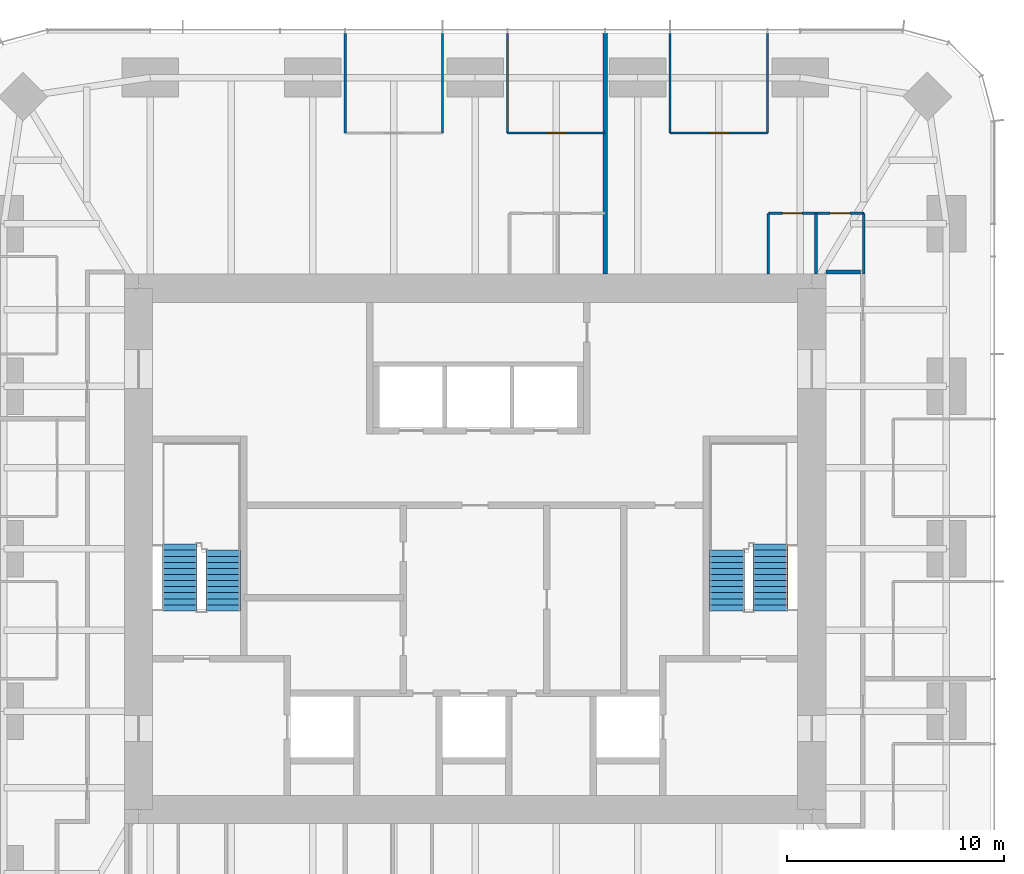
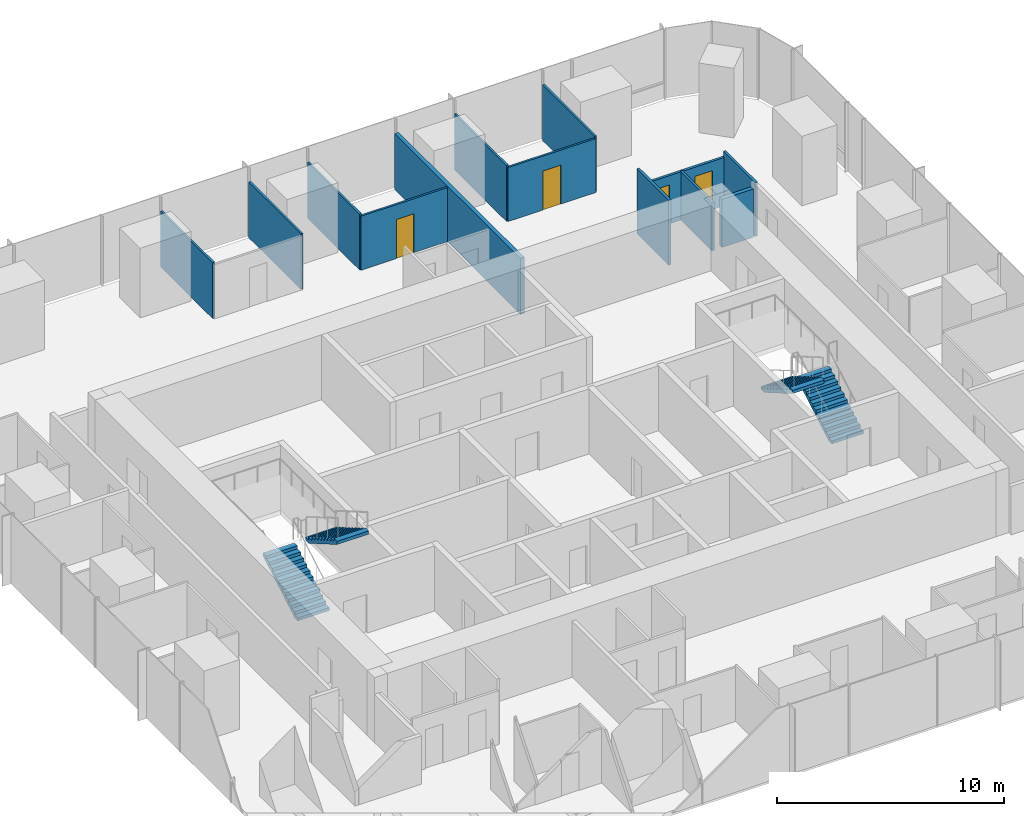
# One storey, part 11 of 12: 13 walls, 4 doors, 4 stair flights, 4 openings, 2 elements without a shape of their own.
"""IFC4 building model written with IfcOpenShell, lengths in metres."""

from ifc_helpers import new_model, si_unit, direction, frame, frame_2d, origin, place, context, subcontext, project, spatial, polyline, rectangle, outline, extrude, material, layer, layer_set, type_object, element, fill, aggregate, save


model = new_model("IFC4")

# Units and contexts
model_context = context("Model", 3, precision=1e-05, world=origin(), true_north=direction((0.0, 1.0)))
body_context = subcontext(model_context, "Body", "Model", "MODEL_VIEW")
ifc_project = project(units=[si_unit("LENGTHUNIT", "METRE"), si_unit("AREAUNIT", "SQUARE_METRE"), si_unit("VOLUMEUNIT", "CUBIC_METRE"), si_unit("PLANEANGLEUNIT", "RADIAN"), si_unit("MASSUNIT", "GRAM", prefix="KILO")], contexts=[model_context])

# Site, building, storey
site_placement = place(None, origin())
site = spatial("IfcSite", under=ifc_project, at=site_placement, CompositionType="ELEMENT")
building_placement = place(site_placement, origin())
building = spatial("IfcBuilding", under=site, at=building_placement, Name="Khuree Lantern Residences", CompositionType="ELEMENT")
storey_placement = place(building_placement, frame((0.0, 0.0, 293.25)))
storey = spatial("IfcBuildingStorey", under=building, at=storey_placement, Name="L73", CompositionType="ELEMENT", Elevation=293.25)

# Wall, openings, doors
ifc_material_1 = material(Name="Moisture-resistant gypsum board on steel studs", Category="steel")
ifc_layer_1 = layer(ifc_material_1, 0.125)
ifc_layer_set_1 = layer_set([ifc_layer_1], Name="BATHROOM WALL BTW125")
wall_type_1 = type_object("IfcWallType", Name="BATHROOM WALL BTW125", PredefinedType="PARTITIONING", material=ifc_layer_set_1)
wall_1_placement = place(storey_placement, frame((17.89990234375, 15.449951171875, 0.0), z_axis=(0.0, 0.0, 1.0), x_axis=(-1.0, 0.0, 0.0)))
wall_1 = element("IfcWall", 1, at=wall_1_placement, inside=storey, type_object=wall_type_1, Name="L73 BATHROOM WALL 01", PredefinedType="PARTITIONING", context=body_context, shape_type="SweptSolid", body=[
    extrude(rectangle(XDim=4.39990234375, YDim=0.125, at=frame_2d((2.199951171875, 0.0))), origin(), (0.0, 0.0, 1.0), 2.60009765625),
])
opening_1_placement = place(wall_1_placement, frame((0.64990234375, 0.0, 0.0)))
opening_1 = element("IfcOpeningElement", 2, at=opening_1_placement, cuts=wall_1, Name="Opening 73-024", PredefinedType="OPENING", context=body_context, shape_type="SweptSolid", body=[
    extrude(rectangle(XDim=0.89990234375, YDim=2.10009765625, at=frame_2d((0.449951171875, 1.050048828125))), frame((0.0, 0.072509765625, 0.0), z_axis=(0.0, -1.0, 0.0), x_axis=(1.0, 0.0, 0.0)), (0.0, 0.0, 1.0), 0.14501953125),
])
opening_2_placement = place(wall_1_placement, frame((2.85009765625, 0.0, 0.0)))
opening_2 = element("IfcOpeningElement", 3, at=opening_2_placement, cuts=wall_1, Name="Opening 73-025", PredefinedType="OPENING", context=body_context, shape_type="SweptSolid", body=[
    extrude(rectangle(XDim=0.89990234375, YDim=2.10009765625, at=frame_2d((0.449951171875, 1.050048828125))), frame((0.0, 0.072509765625, 0.0), z_axis=(0.0, -1.0, 0.0), x_axis=(1.0, 0.0, 0.0)), (0.0, 0.0, 1.0), 0.14501953125),
])
ifc_material_2 = material(Name="Timber door leaf in hardwood frame", Category="wood")
door_type_1 = type_object("IfcDoorType", Name="BATHROOM DOOR 900X2100", OperationType="SINGLE_SWING_LEFT", PredefinedType="DOOR", material=ifc_material_2)
door_1_placement = place(opening_1_placement, origin())
door_1 = element("IfcDoor", 4, at=door_1_placement, inside=storey, type_object=door_type_1, Name="Bathroom door 73-024", OperationType="SINGLE_SWING_LEFT", OverallHeight=2.10009765625, OverallWidth=0.89990234375, PredefinedType="DOOR", context=body_context, shape_type="SweptSolid", body=[
    extrude(rectangle(XDim=0.89990234375, YDim=2.10009765625, at=frame_2d((0.449951171875, 1.050048828125))), frame((0.0, 0.02490234375, 0.0), z_axis=(0.0, -1.0, 0.0), x_axis=(1.0, 0.0, 0.0)), (0.0, 0.0, 1.0), 0.050048828125),
])
fill(opening_1, door_1)
door_2_placement = place(opening_2_placement, origin())
door_2 = element("IfcDoor", 5, at=door_2_placement, inside=storey, type_object=door_type_1, Name="Bathroom door 73-025", OperationType="SINGLE_SWING_LEFT", OverallHeight=2.10009765625, OverallWidth=0.89990234375, PredefinedType="DOOR", context=body_context, shape_type="SweptSolid", body=[
    extrude(rectangle(XDim=0.89990234375, YDim=2.10009765625, at=frame_2d((0.449951171875, 1.050048828125))), frame((0.0, 0.02490234375, 0.0), z_axis=(0.0, -1.0, 0.0), x_axis=(1.0, 0.0, 0.0)), (0.0, 0.0, 1.0), 0.050048828125),
])
fill(opening_2, door_2)

# Walls
wall_2_placement = place(storey_placement, frame((17.89990234375, 12.64990234375, 0.0), z_axis=(0.0, 0.0, 1.0), x_axis=(0.0, 1.0, 0.0)))
element("IfcWall", 6, at=wall_2_placement, inside=storey, type_object=wall_type_1, Name="L73 BATHROOM WALL 01", PredefinedType="PARTITIONING", context=body_context, shape_type="SweptSolid", body=[
    extrude(rectangle(XDim=2.800048828125, YDim=0.125, at=frame_2d((1.39990234375, 0.0))), origin(), (0.0, 0.0, 1.0), 2.89990234375),
])
wall_3_placement = place(storey_placement, frame((15.699951171875, 12.64990234375, 0.0), z_axis=(0.0, 0.0, 1.0), x_axis=(0.0, 1.0, 0.0)))
element("IfcWall", 7, at=wall_3_placement, inside=storey, type_object=wall_type_1, Name="L73 BATHROOM WALL 01", PredefinedType="PARTITIONING", context=body_context, shape_type="SweptSolid", body=[
    extrude(rectangle(XDim=2.800048828125, YDim=0.125, at=frame_2d((1.39990234375, 0.0))), origin(), (0.0, 0.0, 1.0), 2.60009765625),
])
wall_4_placement = place(storey_placement, frame((13.5, 12.64990234375, 0.0), z_axis=(0.0, 0.0, 1.0), x_axis=(0.0, 1.0, 0.0)))
element("IfcWall", 8, at=wall_4_placement, inside=storey, type_object=wall_type_1, Name="L73 BATHROOM WALL 01", PredefinedType="PARTITIONING", context=body_context, shape_type="SweptSolid", body=[
    extrude(rectangle(XDim=2.800048828125, YDim=0.125, at=frame_2d((1.39990234375, 0.0))), origin(), (0.0, 0.0, 1.0), 3.5),
])
ifc_material_3 = material(Name="Gypsum board on steel studs", Category="steel")
ifc_layer_2 = layer(ifc_material_3, 0.199951171875)
ifc_layer_set_2 = layer_set([ifc_layer_2], Name="CORRIDOR WALL CRW200 EI 60")
wall_type_2 = type_object("IfcWallType", Name="CORRIDOR WALL CRW200 EI 60", PredefinedType="PARTITIONING", material=ifc_layer_set_2)
wall_5_placement = place(storey_placement, frame((16.14990234375, 12.75, 0.0), z_axis=(0.0, 0.0, 1.0), x_axis=(1.0, 0.0, 0.0)))
element("IfcWall", 9, at=wall_5_placement, inside=storey, type_object=wall_type_2, Name="L73 EAST CORRIDOR NORTH END WALL", PredefinedType="PARTITIONING", context=body_context, shape_type="SweptSolid", body=[
    extrude(rectangle(XDim=1.60009765625, YDim=0.199951171875, at=frame_2d((0.800048828125, 0.0))), origin(), (0.0, 0.0, 1.0), 2.60009765625),
])
ifc_layer_3 = layer(ifc_material_3, 0.199951171875)
ifc_layer_set_3 = layer_set([ifc_layer_3], Name="DEMISING WALL DMW200 EI 90")
wall_type_3 = type_object("IfcWallType", Name="DEMISING WALL DMW200 EI 90", PredefinedType="PARTITIONING", material=ifc_layer_set_3)
wall_6_placement = place(storey_placement, frame((5.98388671875, 12.64990234375, 0.0), z_axis=(0.0, 0.0, 1.0), x_axis=(0.0, 1.0, 0.0)))
element("IfcWall", 10, at=wall_6_placement, inside=storey, type_object=wall_type_3, Name="L73 DEMISING WALL 02", PredefinedType="PARTITIONING", context=body_context, shape_type="SweptSolid", body=[
    extrude(rectangle(XDim=11.10009765625, YDim=0.199951171875, at=frame_2d((5.550048828125, 0.0))), origin(), (0.0, 0.0, 1.0), 3.010009765625),
])
ifc_layer_4 = layer(ifc_material_3, 0.10009765625)
ifc_layer_set_4 = layer_set([ifc_layer_4], Name="PARTITION PT100")
wall_type_4 = type_object("IfcWallType", Name="PARTITION PT100", PredefinedType="PARTITIONING", material=ifc_layer_set_4)
for number, where, z_axis, x_axis, name in (
    (11, (13.464111328125, 19.14990234375, 0.0), (0.0, 0.0, 1.0), (0.0, 1.0, 0.0), "L73 PARTITION 01"),
    (12, (8.97607421875, 19.14990234375, 0.0), (0.0, 0.0, 1.0), (0.0, 1.0, 0.0), "L73 PARTITION 01"),
    (13, (1.49609375, 19.14990234375, 0.0), (0.0, 0.0, 1.0), (0.0, 1.0, 0.0), "L73 PARTITION 02"),
    (14, (-1.49609375, 19.14990234375, 0.0), (0.0, 0.0, 1.0), (0.0, 1.0, 0.0), "L73 PARTITION 02"),
    (15, (-5.98388671875, 19.14990234375, 0.0), (0.0, 0.0, 1.0), (0.0, 1.0, 0.0), "L73 PARTITION 02"),
):
    element("IfcWall", number, at=place(storey_placement, frame(where, z_axis=z_axis, x_axis=x_axis)), inside=storey, type_object=wall_type_4, Name=name, PredefinedType="PARTITIONING", context=body_context, shape_type="SweptSolid", body=[
        extrude(rectangle(XDim=4.60009765625, YDim=0.10009765625, at=frame_2d((2.300048828125, 0.0))), origin(), (0.0, 0.0, 1.0), 3.010009765625),
    ])

# Wall, opening, door
wall_7_placement = place(storey_placement, frame((13.464111328125, 19.14990234375, 0.0), z_axis=(0.0, 0.0, 1.0), x_axis=(-1.0, 0.0, 0.0)))
wall_7 = element("IfcWall", 16, at=wall_7_placement, inside=storey, type_object=wall_type_4, Name="L73 PARTITION 01", PredefinedType="PARTITIONING", context=body_context, shape_type="SweptSolid", body=[
    extrude(rectangle(XDim=4.488037109375, YDim=0.10009765625, at=frame_2d((2.244140625, 0.0))), origin(), (0.0, 0.0, 1.0), 2.909912109375),
])
opening_3_placement = place(wall_7_placement, frame((1.7939453125, 0.0, 0.0)))
opening_3 = element("IfcOpeningElement", 17, at=opening_3_placement, cuts=wall_7, Name="Opening 73-023", PredefinedType="OPENING", context=body_context, shape_type="SweptSolid", body=[
    extrude(rectangle(XDim=0.89990234375, YDim=2.10009765625, at=frame_2d((0.449951171875, 1.050048828125))), frame((0.0, 0.06005859375, 0.0), z_axis=(0.0, -1.0, 0.0), x_axis=(1.0, 0.0, 0.0)), (0.0, 0.0, 1.0), 0.1201171875),
])
door_type_2 = type_object("IfcDoorType", Name="BEDROOM DOOR 900X2100", OperationType="SINGLE_SWING_LEFT", PredefinedType="DOOR", material=ifc_material_2)
door_3_placement = place(opening_3_placement, origin())
door_3 = element("IfcDoor", 18, at=door_3_placement, inside=storey, type_object=door_type_2, Name="Bedroom door 73-023", OperationType="SINGLE_SWING_LEFT", OverallHeight=2.10009765625, OverallWidth=0.89990234375, PredefinedType="DOOR", context=body_context, shape_type="SweptSolid", body=[
    extrude(rectangle(XDim=0.89990234375, YDim=2.10009765625, at=frame_2d((0.449951171875, 1.050048828125))), frame((0.0, 0.02490234375, 0.0), z_axis=(0.0, -1.0, 0.0), x_axis=(1.0, 0.0, 0.0)), (0.0, 0.0, 1.0), 0.050048828125),
])
fill(opening_3, door_3)

wall_8_placement = place(storey_placement, frame((5.98388671875, 19.14990234375, 0.0), z_axis=(0.0, 0.0, 1.0), x_axis=(-1.0, 0.0, 0.0)))
wall_8 = element("IfcWall", 19, at=wall_8_placement, inside=storey, type_object=wall_type_4, Name="L73 PARTITION 02", PredefinedType="PARTITIONING", context=body_context, shape_type="SweptSolid", body=[
    extrude(rectangle(XDim=4.48779296875, YDim=0.10009765625, at=frame_2d((2.243896484375, 0.0))), origin(), (0.0, 0.0, 1.0), 2.909912109375),
])
opening_4_placement = place(wall_8_placement, frame((1.7939453125, 0.0, 0.0)))
opening_4 = element("IfcOpeningElement", 20, at=opening_4_placement, cuts=wall_8, Name="Opening 73-027", PredefinedType="OPENING", context=body_context, shape_type="SweptSolid", body=[
    extrude(rectangle(XDim=0.89990234375, YDim=2.10009765625, at=frame_2d((0.449951171875, 1.050048828125))), frame((0.0, 0.06005859375, 0.0), z_axis=(0.0, -1.0, 0.0), x_axis=(1.0, 0.0, 0.0)), (0.0, 0.0, 1.0), 0.1201171875),
])
door_4_placement = place(opening_4_placement, origin())
door_4 = element("IfcDoor", 21, at=door_4_placement, inside=storey, type_object=door_type_2, Name="Bedroom door 73-027", OperationType="SINGLE_SWING_LEFT", OverallHeight=2.10009765625, OverallWidth=0.89990234375, PredefinedType="DOOR", context=body_context, shape_type="SweptSolid", body=[
    extrude(rectangle(XDim=0.89990234375, YDim=2.10009765625, at=frame_2d((0.449951171875, 1.050048828125))), frame((0.0, 0.02490234375, 0.0), z_axis=(0.0, -1.0, 0.0), x_axis=(1.0, 0.0, 0.0)), (0.0, 0.0, 1.0), 0.050048828125),
])
fill(opening_4, door_4)

# Stair, stair flights
ifc_material_4 = material(Name="Concrete C40/50", Category="concrete")
stair_type = type_object("IfcStairType", Name="STAIR ST1 HALF TURN 3600", PredefinedType="HALF_TURN_STAIR", material=ifc_material_4)
stair_1_placement = place(storey_placement, origin())
stair_1 = element("IfcStair", 22, at=stair_1_placement, inside=storey, type_object=stair_type, Name="Stair ST1", PredefinedType="HALF_TURN_STAIR")
stair_flight_type = type_object("IfcStairFlightType", Name="STAIR FLIGHT SF1 1600", PredefinedType="STRAIGHT", material=ifc_material_4)
stair_flight_1_placement = place(storey_placement, frame((-13.60009765625, -2.860107421875, 0.0), z_axis=(0.0, 0.0, 1.0), x_axis=(0.0, 1.0, 0.0)))
stair_flight_1 = element("IfcStairFlight", 23, at=stair_flight_1_placement, type_object=stair_flight_type, Name="ST1 flight 1", NumberOfRisers=12, NumberOfTreads=11, PredefinedType="STRAIGHT", RiserHeight=0.163043478, TreadLength=0.28, context=body_context, shape_type="SweptSolid", body=[
    extrude(outline(polyline([(0.0, 0.0), (0.0, 0.1630859375), (0.280029296875, 0.1630859375), (0.280029296875, 0.326171875), (0.56005859375, 0.326171875), (0.56005859375, 0.489013671875), (0.840087890625, 0.489013671875), (0.840087890625, 0.652099609375), (1.1201171875, 0.652099609375), (1.1201171875, 0.815185546875), (1.39990234375, 0.815185546875), (1.39990234375, 0.978271484375), (1.679931640625, 0.978271484375), (1.679931640625, 1.141357421875), (1.9599609375, 1.141357421875), (1.9599609375, 1.304443359375), (2.239990234375, 1.304443359375), (2.239990234375, 1.46728515625), (2.52001953125, 1.46728515625), (2.52001953125, 1.63037109375), (2.800048828125, 1.63037109375), (2.800048828125, 1.79345703125), (3.080078125, 1.79345703125), (3.080078125, 1.95654296875), (3.080078125, 1.6201171875), (0.2978515625, 0.0), (0.0, 0.0)])), frame((0.0, 0.800048828125, 0.0), z_axis=(0.0, -1.0, 0.0), x_axis=(1.0, 0.0, 0.0)), (0.0, 0.0, 1.0), 1.60009765625),
])
stair_flight_2_placement = place(storey_placement, frame((-11.60009765625, -0.06005859375, 1.95654296875), z_axis=(0.0, 0.0, 1.0), x_axis=(0.0, -1.0, 0.0)))
stair_flight_2 = element("IfcStairFlight", 24, at=stair_flight_2_placement, type_object=stair_flight_type, Name="ST1 flight 2", NumberOfRisers=11, NumberOfTreads=10, PredefinedType="STRAIGHT", RiserHeight=0.163043478, TreadLength=0.28, context=body_context, shape_type="SweptSolid", body=[
    extrude(outline(polyline([(0.0, 0.0), (0.0, 0.1630859375), (0.280029296875, 0.1630859375), (0.280029296875, 0.326171875), (0.56005859375, 0.326171875), (0.56005859375, 0.489013671875), (0.840087890625, 0.489013671875), (0.840087890625, 0.652099609375), (1.1201171875, 0.652099609375), (1.1201171875, 0.815185546875), (1.39990234375, 0.815185546875), (1.39990234375, 0.978271484375), (1.679931640625, 0.978271484375), (1.679931640625, 1.141357421875), (1.9599609375, 1.141357421875), (1.9599609375, 1.304443359375), (2.239990234375, 1.304443359375), (2.239990234375, 1.46728515625), (2.52001953125, 1.46728515625), (2.52001953125, 1.63037109375), (2.800048828125, 1.63037109375), (2.800048828125, 1.79345703125), (2.800048828125, 1.45703125), (0.2978515625, 0.0), (0.0, 0.0)])), frame((0.0, 0.800048828125, 0.0), z_axis=(0.0, -1.0, 0.0), x_axis=(1.0, 0.0, 0.0)), (0.0, 0.0, 1.0), 1.60009765625),
])
aggregate(stair_1, [stair_flight_1, stair_flight_2])

stair_2_placement = place(storey_placement, origin())
stair_2 = element("IfcStair", 25, at=stair_2_placement, inside=storey, type_object=stair_type, Name="Stair ST2", PredefinedType="HALF_TURN_STAIR")
stair_flight_3_placement = place(storey_placement, frame((13.60009765625, -2.860107421875, 0.0), z_axis=(0.0, 0.0, 1.0), x_axis=(0.0, 1.0, 0.0)))
stair_flight_3 = element("IfcStairFlight", 26, at=stair_flight_3_placement, type_object=stair_flight_type, Name="ST2 flight 1", NumberOfRisers=12, NumberOfTreads=11, PredefinedType="STRAIGHT", RiserHeight=0.163043478, TreadLength=0.28, context=body_context, shape_type="SweptSolid", body=[
    extrude(outline(polyline([(0.0, 0.0), (0.0, 0.1630859375), (0.280029296875, 0.1630859375), (0.280029296875, 0.326171875), (0.56005859375, 0.326171875), (0.56005859375, 0.489013671875), (0.840087890625, 0.489013671875), (0.840087890625, 0.652099609375), (1.1201171875, 0.652099609375), (1.1201171875, 0.815185546875), (1.39990234375, 0.815185546875), (1.39990234375, 0.978271484375), (1.679931640625, 0.978271484375), (1.679931640625, 1.141357421875), (1.9599609375, 1.141357421875), (1.9599609375, 1.304443359375), (2.239990234375, 1.304443359375), (2.239990234375, 1.46728515625), (2.52001953125, 1.46728515625), (2.52001953125, 1.63037109375), (2.800048828125, 1.63037109375), (2.800048828125, 1.79345703125), (3.080078125, 1.79345703125), (3.080078125, 1.95654296875), (3.080078125, 1.6201171875), (0.2978515625, 0.0), (0.0, 0.0)])), frame((0.0, 0.800048828125, 0.0), z_axis=(0.0, -1.0, 0.0), x_axis=(1.0, 0.0, 0.0)), (0.0, 0.0, 1.0), 1.60009765625),
])
stair_flight_4_placement = place(storey_placement, frame((11.60009765625, -0.06005859375, 1.95654296875), z_axis=(0.0, 0.0, 1.0), x_axis=(0.0, -1.0, 0.0)))
stair_flight_4 = element("IfcStairFlight", 27, at=stair_flight_4_placement, type_object=stair_flight_type, Name="ST2 flight 2", NumberOfRisers=11, NumberOfTreads=10, PredefinedType="STRAIGHT", RiserHeight=0.163043478, TreadLength=0.28, context=body_context, shape_type="SweptSolid", body=[
    extrude(outline(polyline([(0.0, 0.0), (0.0, 0.1630859375), (0.280029296875, 0.1630859375), (0.280029296875, 0.326171875), (0.56005859375, 0.326171875), (0.56005859375, 0.489013671875), (0.840087890625, 0.489013671875), (0.840087890625, 0.652099609375), (1.1201171875, 0.652099609375), (1.1201171875, 0.815185546875), (1.39990234375, 0.815185546875), (1.39990234375, 0.978271484375), (1.679931640625, 0.978271484375), (1.679931640625, 1.141357421875), (1.9599609375, 1.141357421875), (1.9599609375, 1.304443359375), (2.239990234375, 1.304443359375), (2.239990234375, 1.46728515625), (2.52001953125, 1.46728515625), (2.52001953125, 1.63037109375), (2.800048828125, 1.63037109375), (2.800048828125, 1.79345703125), (2.800048828125, 1.45703125), (0.2978515625, 0.0), (0.0, 0.0)])), frame((0.0, 0.800048828125, 0.0), z_axis=(0.0, -1.0, 0.0), x_axis=(1.0, 0.0, 0.0)), (0.0, 0.0, 1.0), 1.60009765625),
])
aggregate(stair_2, [stair_flight_3, stair_flight_4])

save(model, "model.ifc")
